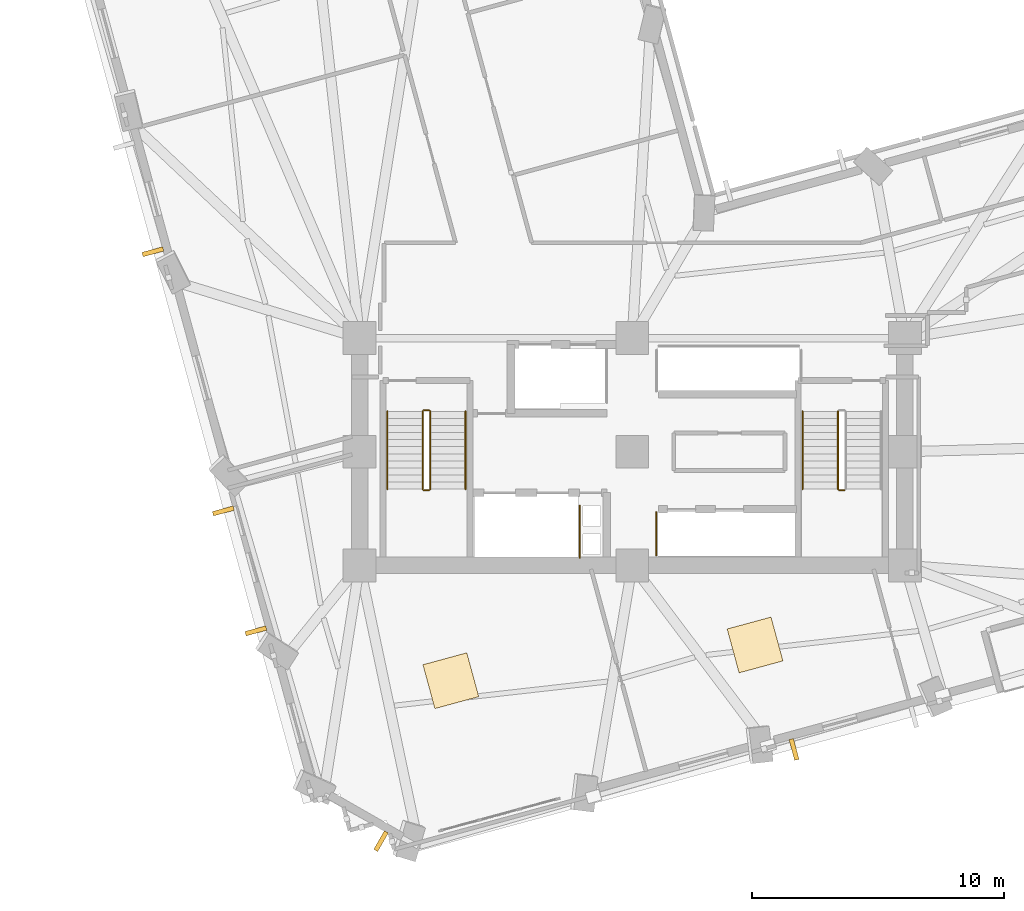
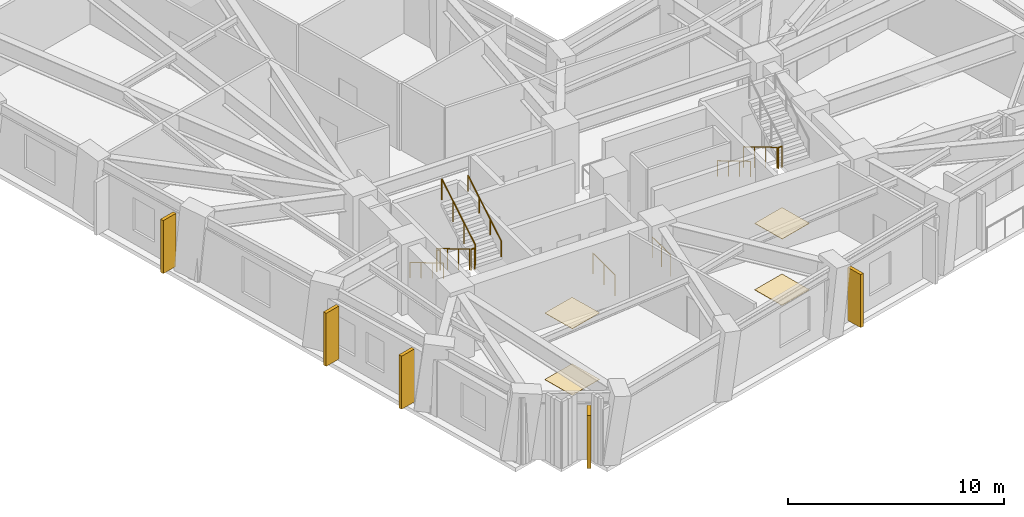
# One storey, part 12 of 15: 11 railings, 5 shading devices, 4 coverings.
"""IFC4 building model written with IfcOpenShell, lengths in metres."""

from ifc_helpers import new_model, si_unit, direction, frame, origin, origin_2d, place, context, subcontext, project, spatial, rectangle, circle, extrude, material, layer, layer_set, type_object, element, save


model = new_model("IFC4")

# Units and contexts
model_context = context("Model", 3, precision=1e-05, world=origin(), true_north=direction((0.0, 1.0)))
body_context = subcontext(model_context, "Body", "Model", "MODEL_VIEW")
ifc_project = project(units=[si_unit("LENGTHUNIT", "METRE"), si_unit("AREAUNIT", "SQUARE_METRE"), si_unit("VOLUMEUNIT", "CUBIC_METRE"), si_unit("PLANEANGLEUNIT", "RADIAN"), si_unit("MASSUNIT", "GRAM", prefix="KILO")], contexts=[model_context])

# Site, building, storey
site_placement = place(None, origin())
site = spatial("IfcSite", under=ifc_project, at=site_placement, CompositionType="ELEMENT")
building_placement = place(site_placement, origin())
building = spatial("IfcBuilding", under=site, at=building_placement, Name="Gaonmaruhae Medical Tower", CompositionType="ELEMENT")
storey_placement = place(building_placement, frame((0.0, 0.0, 88.39990234375)))
storey = spatial("IfcBuildingStorey", under=building, at=storey_placement, Name="L20", CompositionType="ELEMENT", Elevation=88.39990234375)

# Coverings
ifc_material_1 = material(Name="Acoustic mineral ceiling tile", Category="finish")
ifc_layer_1 = layer(ifc_material_1, 0.02490234375)
ifc_layer_set_1 = layer_set([ifc_layer_1], Name="Acoustic mineral ceiling tile")
covering_type_1 = type_object("IfcCoveringType", Name="CLG-01 Antimicrobial Acoustic Mineral Ceiling", PredefinedType="CEILING", material=ifc_layer_set_1)
for number, where, z_axis, x_axis, name in (
    (1, (17.615966796875, 3.23095703125, 3.755126953125), (0.0, 0.0, 1.0), (0.965016494472, 0.262189178641, 0.0), "L20 Clinical Room Acoustic Ceiling 2"),
    (2, (29.666259765625, 4.64697265625, 3.755126953125), (0.0, 0.0, 1.0), (0.965016494472, 0.262189178641, 0.0), "L20 Clinical Room Acoustic Ceiling 3"),
):
    element("IfcCovering", number, at=place(storey_placement, frame(where, z_axis=z_axis, x_axis=x_axis)), inside=storey, type_object=covering_type_1, Name=name, PredefinedType="CEILING", context=body_context, shape_type="SweptSolid", body=[
        extrude(rectangle(XDim=1.800048828125, YDim=1.800048828125, at=origin_2d()), origin(), (0.0, 0.0, 1.0), 0.02490234375),
    ])
ifc_material_2 = material(Name="Seamless clinical vinyl flooring", Category="finish")
ifc_layer_2 = layer(ifc_material_2, 0.014892578125)
ifc_layer_set_2 = layer_set([ifc_layer_2], Name="Seamless clinical vinyl flooring")
covering_type_2 = type_object("IfcCoveringType", Name="FLR-01 Seamless Clinical Antistatic Vinyl Flooring", PredefinedType="FLOORING", material=ifc_layer_set_2)
for number, where, z_axis, x_axis, name in (
    (3, (17.615966796875, 3.23095703125, 0.0), (0.0, 0.0, 1.0), (0.965016494472, 0.262189178641, 0.0), "L20 Clinical Room Vinyl Flooring 2"),
    (4, (29.666259765625, 4.64697265625, 0.0), (0.0, 0.0, 1.0), (0.965016494472, 0.262189178641, 0.0), "L20 Clinical Room Vinyl Flooring 3"),
):
    element("IfcCovering", number, at=place(storey_placement, frame(where, z_axis=z_axis, x_axis=x_axis)), inside=storey, type_object=covering_type_2, Name=name, PredefinedType="FLOORING", context=body_context, shape_type="SweptSolid", body=[
        extrude(rectangle(XDim=1.800048828125, YDim=1.800048828125, at=origin_2d()), origin(), (0.0, 0.0, 1.0), 0.014892578125),
    ])

# Railings
ifc_material_3 = material(Name="Stainless steel 304 handrail", Category="steel")
railing_type_1 = type_object("IfcRailingType", Name="HR-092 Continuous Stainless Steel Stair Handrail", PredefinedType="HANDRAIL", material=ifc_material_3)
railing_1_placement = place(storey_placement, frame((15.10009765625, 13.89990234375, 0.166748046875)))
element("IfcRailing", 5, at=railing_1_placement, inside=storey, type_object=railing_type_1, Name="L20 ST-01 stair handrail 1", PredefinedType="HANDRAIL", context=body_context, shape_type="SweptSolid", body=[
    extrude(circle(Radius=0.02392578125, at=origin_2d()), frame((0.0, 0.0, 0.8759765625), z_axis=(0.0, -0.859290745958, 0.51148745235), x_axis=(1.0, 0.0, 0.0)), (0.0, 0.0, 1.0), 3.584228515625),
    extrude(circle(Radius=0.02099609375, at=origin_2d()), origin(), (0.0, 0.0, 1.0), 0.851806640625),
    extrude(circle(Radius=0.02099609375, at=origin_2d()), frame((0.0, -1.026611328125, 0.611083984375)), (0.0, 0.0, 1.0), 0.851806640625),
    extrude(circle(Radius=0.02099609375, at=origin_2d()), frame((0.0, -2.05322265625, 1.22216796875)), (0.0, 0.0, 1.0), 0.851806640625),
    extrude(circle(Radius=0.02099609375, at=origin_2d()), frame((0.0, -3.079833984375, 1.833251953125)), (0.0, 0.0, 1.0), 0.851806640625),
])
railing_2_placement = place(storey_placement, frame((18.199951171875, 10.820068359375, 2.166748046875)))
element("IfcRailing", 6, at=railing_2_placement, inside=storey, type_object=railing_type_1, Name="L20 ST-01 stair handrail 2", PredefinedType="HANDRAIL", context=body_context, shape_type="SweptSolid", body=[
    extrude(circle(Radius=0.02392578125, at=origin_2d()), frame((0.0, 0.0, 0.8759765625), z_axis=(0.0, 0.859290745958, 0.51148745235), x_axis=(-1.0, 0.0, 0.0)), (0.0, 0.0, 1.0), 3.584228515625),
    extrude(circle(Radius=0.02099609375, at=origin_2d()), origin(), (0.0, 0.0, 1.0), 0.851806640625),
    extrude(circle(Radius=0.02099609375, at=origin_2d()), frame((0.0, 1.026611328125, 0.611083984375)), (0.0, 0.0, 1.0), 0.851806640625),
    extrude(circle(Radius=0.02099609375, at=origin_2d()), frame((0.0, 2.05322265625, 1.22216796875)), (0.0, 0.0, 1.0), 0.851806640625),
    extrude(circle(Radius=0.02099609375, at=origin_2d()), frame((0.0, 3.079833984375, 1.833251953125)), (0.0, 0.0, 1.0), 0.851806640625),
])
railing_3_placement = place(storey_placement, frame((31.550048828125, 13.89990234375, 0.166748046875)))
element("IfcRailing", 7, at=railing_3_placement, inside=storey, type_object=railing_type_1, Name="L20 ST-02 stair handrail 1", PredefinedType="HANDRAIL", context=body_context, shape_type="SweptSolid", body=[
    extrude(circle(Radius=0.02392578125, at=origin_2d()), frame((0.0, 0.0, 0.8759765625), z_axis=(0.0, -0.859290745958, 0.51148745235), x_axis=(1.0, 0.0, 0.0)), (0.0, 0.0, 1.0), 3.584228515625),
    extrude(circle(Radius=0.02099609375, at=origin_2d()), origin(), (0.0, 0.0, 1.0), 0.851806640625),
    extrude(circle(Radius=0.02099609375, at=origin_2d()), frame((0.0, -1.026611328125, 0.611083984375)), (0.0, 0.0, 1.0), 0.851806640625),
    extrude(circle(Radius=0.02099609375, at=origin_2d()), frame((0.0, -2.05322265625, 1.22216796875)), (0.0, 0.0, 1.0), 0.851806640625),
    extrude(circle(Radius=0.02099609375, at=origin_2d()), frame((0.0, -3.079833984375, 1.833251953125)), (0.0, 0.0, 1.0), 0.851806640625),
])

# Shading devices
ifc_material_4 = material(Name="Pigmented coral precast concrete C45/55", Category="concrete")
shading_device_type = type_object("IfcShadingDeviceType", Name="SD-FIN1 Tower Vertical Coral Precast Shading Fin", PredefinedType="USERDEFINED", material=ifc_material_4)
for number, where, z_axis, x_axis, name in (
    (8, (31.2099609375, 0.508544921875, 0.08251953125), (0.0, 0.0, 1.0), (-0.965016494472, -0.262189178641, 0.0), "L20 Vertical Coral Precast Shading Fin S03B"),
    (9, (5.81298828125, 20.22265625, 0.08251953125), (0.0, 0.0, 1.0), (-0.262189178641, 0.965016494472, 0.0), "L20 Vertical Coral Precast Shading Fin W03"),
    (10, (9.893310546875, 5.205078125, 0.08251953125), (0.0, 0.0, 1.0), (-0.262189178641, 0.965016494472, 0.0), "L20 Vertical Coral Precast Shading Fin W05"),
    (11, (8.602294921875, 9.956298828125, 0.08251953125), (0.0, 0.0, 1.0), (-0.262189178641, 0.965016494472, 0.0), "L20 Vertical Coral Precast Shading Fin W05B"),
    (12, (14.849365234375, -3.125732421875, 0.08251953125), (0.0, 0.0, 1.0), (-0.867774127069, 0.496958815588, 0.0), "L20 Vertical Coral Precast Shading Fin W07"),
):
    element("IfcShadingDevice", number, at=place(storey_placement, frame(where, z_axis=z_axis, x_axis=x_axis)), inside=storey, type_object=shading_device_type, Name=name, ObjectType="FIN", PredefinedType="USERDEFINED", context=body_context, shape_type="SweptSolid", body=[
        extrude(rectangle(XDim=0.179931640625, YDim=0.85009765625, at=origin_2d()), origin(), (0.0, 0.0, 1.0), 3.0),
    ])

# Railings
ifc_material_5 = material(Name="Stainless steel 304 balustrade", Category="steel")
railing_type_2 = type_object("IfcRailingType", Name="SG-112 Stair Well & Ramp Void Safety Balustrade", PredefinedType="BALUSTRADE", material=ifc_material_5)
railing_4_placement = place(storey_placement, frame((16.5, 13.89990234375, 0.166748046875)))
element("IfcRailing", 13, at=railing_4_placement, inside=storey, type_object=railing_type_2, Name="L20 ST-01 stair guard 1", PredefinedType="BALUSTRADE", context=body_context, shape_type="SweptSolid", body=[
    extrude(circle(Radius=0.02392578125, at=origin_2d()), frame((0.0, 0.0, 1.17578125), z_axis=(0.0, -0.859290745958, 0.51148745235), x_axis=(1.0, 0.0, 0.0)), (0.0, 0.0, 1.0), 3.584228515625),
    extrude(circle(Radius=0.02099609375, at=origin_2d()), origin(), (0.0, 0.0, 1.0), 1.15185546875),
    extrude(circle(Radius=0.02099609375, at=origin_2d()), frame((0.0, -1.026611328125, 0.611083984375)), (0.0, 0.0, 1.0), 1.15185546875),
    extrude(circle(Radius=0.02099609375, at=origin_2d()), frame((0.0, -2.05322265625, 1.22216796875)), (0.0, 0.0, 1.0), 1.15185546875),
    extrude(circle(Radius=0.02099609375, at=origin_2d()), frame((0.0, -3.079833984375, 1.833251953125)), (0.0, 0.0, 1.0), 1.15185546875),
])
railing_5_placement = place(storey_placement, frame((16.550048828125, 10.77001953125, 2.0)))
element("IfcRailing", 14, at=railing_5_placement, inside=storey, type_object=railing_type_2, Name="L20 ST-01 stair guard 2", PredefinedType="BALUSTRADE", context=body_context, shape_type="SweptSolid", body=[
    extrude(circle(Radius=0.02392578125, at=origin_2d()), frame((0.0, 0.0, 1.17578125), z_axis=(1.0, 0.0, 0.0), x_axis=(0.0, 1.0, 0.0)), (0.0, 0.0, 1.0), 0.199951171875),
    extrude(circle(Radius=0.02099609375, at=origin_2d()), origin(), (0.0, 0.0, 1.0), 1.15185546875),
    extrude(circle(Radius=0.02099609375, at=origin_2d()), frame((0.199951171875, 0.0, 0.0)), (0.0, 0.0, 1.0), 1.15185546875),
])
railing_6_placement = place(storey_placement, frame((16.800048828125, 10.820068359375, 2.166748046875)))
element("IfcRailing", 15, at=railing_6_placement, inside=storey, type_object=railing_type_2, Name="L20 ST-01 stair guard 3", PredefinedType="BALUSTRADE", context=body_context, shape_type="SweptSolid", body=[
    extrude(circle(Radius=0.02392578125, at=origin_2d()), frame((0.0, 0.0, 1.17578125), z_axis=(0.0, 0.859290745958, 0.51148745235), x_axis=(-1.0, 0.0, 0.0)), (0.0, 0.0, 1.0), 3.584228515625),
    extrude(circle(Radius=0.02099609375, at=origin_2d()), origin(), (0.0, 0.0, 1.0), 1.15185546875),
    extrude(circle(Radius=0.02099609375, at=origin_2d()), frame((0.0, 1.026611328125, 0.611083984375)), (0.0, 0.0, 1.0), 1.15185546875),
    extrude(circle(Radius=0.02099609375, at=origin_2d()), frame((0.0, 2.05322265625, 1.22216796875)), (0.0, 0.0, 1.0), 1.15185546875),
    extrude(circle(Radius=0.02099609375, at=origin_2d()), frame((0.0, 3.079833984375, 1.833251953125)), (0.0, 0.0, 1.0), 1.15185546875),
])
railing_7_placement = place(storey_placement, frame((16.550048828125, 13.949951171875, 0.0)))
element("IfcRailing", 16, at=railing_7_placement, inside=storey, type_object=railing_type_2, Name="L20 ST-01 stair guard 4", PredefinedType="BALUSTRADE", context=body_context, shape_type="SweptSolid", body=[
    extrude(circle(Radius=0.02392578125, at=origin_2d()), frame((0.0, 0.0, 1.17578125), z_axis=(1.0, 0.0, 0.0), x_axis=(0.0, 1.0, 0.0)), (0.0, 0.0, 1.0), 0.199951171875),
    extrude(circle(Radius=0.02099609375, at=origin_2d()), origin(), (0.0, 0.0, 1.0), 1.15185546875),
    extrude(circle(Radius=0.02099609375, at=origin_2d()), frame((0.199951171875, 0.0, 0.0)), (0.0, 0.0, 1.0), 1.15185546875),
])
railing_8_placement = place(storey_placement, frame((32.949951171875, 13.89990234375, 0.166748046875)))
element("IfcRailing", 17, at=railing_8_placement, inside=storey, type_object=railing_type_2, Name="L20 ST-02 stair guard 1", PredefinedType="BALUSTRADE", context=body_context, shape_type="SweptSolid", body=[
    extrude(circle(Radius=0.02392578125, at=origin_2d()), frame((0.0, 0.0, 1.17578125), z_axis=(0.0, -0.859290745958, 0.51148745235), x_axis=(1.0, 0.0, 0.0)), (0.0, 0.0, 1.0), 3.584228515625),
    extrude(circle(Radius=0.02099609375, at=origin_2d()), origin(), (0.0, 0.0, 1.0), 1.15185546875),
    extrude(circle(Radius=0.02099609375, at=origin_2d()), frame((0.0, -1.026611328125, 0.611083984375)), (0.0, 0.0, 1.0), 1.15185546875),
    extrude(circle(Radius=0.02099609375, at=origin_2d()), frame((0.0, -2.05322265625, 1.22216796875)), (0.0, 0.0, 1.0), 1.15185546875),
    extrude(circle(Radius=0.02099609375, at=origin_2d()), frame((0.0, -3.079833984375, 1.833251953125)), (0.0, 0.0, 1.0), 1.15185546875),
])
railing_9_placement = place(storey_placement, frame((33.0, 10.77001953125, 2.0)))
element("IfcRailing", 18, at=railing_9_placement, inside=storey, type_object=railing_type_2, Name="L20 ST-02 stair guard 2", PredefinedType="BALUSTRADE", context=body_context, shape_type="SweptSolid", body=[
    extrude(circle(Radius=0.02392578125, at=origin_2d()), frame((0.0, 0.0, 1.17578125), z_axis=(1.0, 0.0, 0.0), x_axis=(0.0, 1.0, 0.0)), (0.0, 0.0, 1.0), 0.199951171875),
    extrude(circle(Radius=0.02099609375, at=origin_2d()), origin(), (0.0, 0.0, 1.0), 1.15185546875),
    extrude(circle(Radius=0.02099609375, at=origin_2d()), frame((0.199951171875, 0.0, 0.0)), (0.0, 0.0, 1.0), 1.15185546875),
])
railing_10_placement = place(storey_placement, frame((25.7548828125, 8.195068359375, 0.0)))
element("IfcRailing", 19, at=railing_10_placement, inside=storey, type_object=railing_type_2, Name="L20 Shaft Edge Safety Guard 04", PredefinedType="BALUSTRADE", context=body_context, shape_type="SweptSolid", body=[
    extrude(circle(Radius=0.02392578125, at=origin_2d()), frame((0.0, 0.0, 1.17578125), z_axis=(0.0, 1.0, 0.0), x_axis=(-1.0, 0.0, 0.0)), (0.0, 0.0, 1.0), 1.7099609375),
    extrude(circle(Radius=0.02099609375, at=origin_2d()), origin(), (0.0, 0.0, 1.0), 1.15185546875),
    extrude(circle(Radius=0.02099609375, at=origin_2d()), frame((0.0, 0.85498046875, 0.0)), (0.0, 0.0, 1.0), 1.15185546875),
    extrude(circle(Radius=0.02099609375, at=origin_2d()), frame((0.0, 1.7099609375, 0.0)), (0.0, 0.0, 1.0), 1.15185546875),
])
railing_11_placement = place(storey_placement, frame((22.719970703125, 10.159912109375, 0.0)))
element("IfcRailing", 20, at=railing_11_placement, inside=storey, type_object=railing_type_2, Name="L20 Shaft Edge Safety Guard 05", PredefinedType="BALUSTRADE", context=body_context, shape_type="SweptSolid", body=[
    extrude(circle(Radius=0.02392578125, at=origin_2d()), frame((0.0, 0.0, 1.17578125), z_axis=(0.0, -1.0, 0.0), x_axis=(1.0, 0.0, 0.0)), (0.0, 0.0, 1.0), 2.06494140625),
    extrude(circle(Radius=0.02099609375, at=origin_2d()), origin(), (0.0, 0.0, 1.0), 1.15185546875),
    extrude(circle(Radius=0.02099609375, at=origin_2d()), frame((0.0, -1.032470703125, 0.0)), (0.0, 0.0, 1.0), 1.15185546875),
    extrude(circle(Radius=0.02099609375, at=origin_2d()), frame((0.0, -2.06494140625, 0.0)), (0.0, 0.0, 1.0), 1.15185546875),
])

save(model, "model.ifc")
